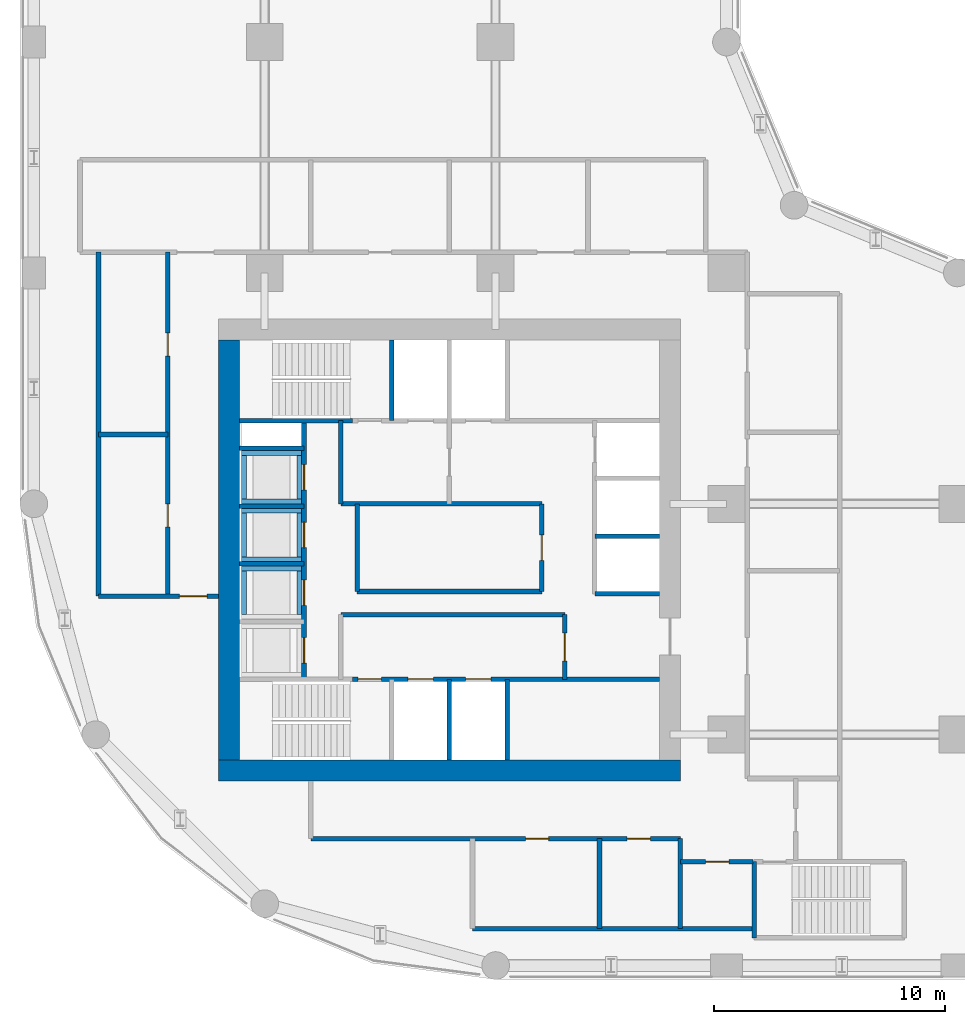
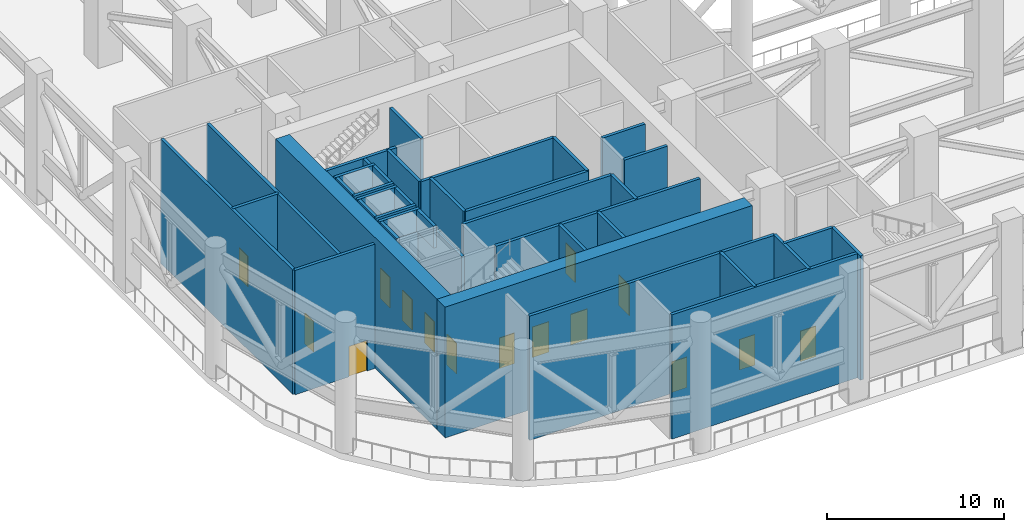
# One storey, part 8 of 14: 41 walls, 15 doors, 15 openings.
"""IFC4 building model written with IfcOpenShell, lengths in metres."""

from ifc_helpers import new_model, si_unit, direction, frame, frame_2d, origin, place, context, subcontext, project, spatial, rectangle, extrude, material, layer, layer_set, type_object, element, fill, save


model = new_model("IFC4")

# Units and contexts
model_context = context("Model", 3, precision=1e-05, world=origin(), true_north=direction((0.0, 1.0)))
body_context = subcontext(model_context, "Body", "Model", "MODEL_VIEW")
ifc_project = project(units=[si_unit("LENGTHUNIT", "METRE"), si_unit("AREAUNIT", "SQUARE_METRE"), si_unit("VOLUMEUNIT", "CUBIC_METRE"), si_unit("PLANEANGLEUNIT", "RADIAN"), si_unit("MASSUNIT", "GRAM", prefix="KILO")], contexts=[model_context])

# Site, building, storey
site_placement = place(None, origin())
site = spatial("IfcSite", under=ifc_project, at=site_placement, CompositionType="ELEMENT")
building_placement = place(site_placement, origin())
building = spatial("IfcBuilding", under=site, at=building_placement, Name="Qaws Garden Tower", CompositionType="ELEMENT")
storey_placement = place(building_placement, frame((0.0, 0.0, 117.300048828125)))
storey = spatial("IfcBuildingStorey", under=building, at=storey_placement, Name="L29", CompositionType="ELEMENT", Elevation=117.300048828125)

# Wall, openings, doors
ifc_material_1 = material(Name="Concrete C80", Category="concrete")
ifc_layer_1 = layer(ifc_material_1, 0.199951171875)
ifc_layer_set_1 = layer_set([ifc_layer_1], Name="Concrete C80")
wall_type_1 = type_object("IfcWallType", Name="Core shaft wall 200 C80", PredefinedType="SHEAR", material=ifc_layer_set_1)
wall_1_placement = place(storey_placement, frame((13.800048828125, 12.39990234375, 0.0), z_axis=(0.0, 0.0, 1.0), x_axis=(1.0, 0.0, 0.0)))
wall_1 = element("IfcWall", 1, at=wall_1_placement, inside=storey, type_object=wall_type_1, Name="Shaft wall", PredefinedType="SHEAR", context=body_context, shape_type="SweptSolid", body=[
    extrude(rectangle(XDim=13.300048828125, YDim=0.199951171875, at=frame_2d((6.64990234375, 0.0))), origin(), (0.0, 0.0, 1.0), 8.550048828125),
])
opening_1_placement = place(wall_1_placement, frame((2.39990234375, 0.0, 0.0)))
opening_1 = element("IfcOpeningElement", 2, at=opening_1_placement, cuts=wall_1, Name="Opening LD06", PredefinedType="OPENING", context=body_context, shape_type="SweptSolid", body=[
    extrude(rectangle(XDim=1.10009765625, YDim=2.10009765625, at=frame_2d((0.550048828125, 1.050048828125))), frame((0.0, 0.10986328125, 0.0), z_axis=(0.0, -1.0, 0.0), x_axis=(1.0, 0.0, 0.0)), (0.0, 0.0, 1.0), 0.219970703125),
])
opening_2_placement = place(wall_1_placement, frame((4.89990234375, 0.0, 0.0)))
opening_2 = element("IfcOpeningElement", 3, at=opening_2_placement, cuts=wall_1, Name="Opening LD07", PredefinedType="OPENING", context=body_context, shape_type="SweptSolid", body=[
    extrude(rectangle(XDim=1.10009765625, YDim=2.10009765625, at=frame_2d((0.550048828125, 1.050048828125))), frame((0.0, 0.10986328125, 0.0), z_axis=(0.0, -1.0, 0.0), x_axis=(1.0, 0.0, 0.0)), (0.0, 0.0, 1.0), 0.219970703125),
])
opening_3_placement = place(wall_1_placement, frame((0.25, 0.0, 0.0)))
opening_3 = element("IfcOpeningElement", 4, at=opening_3_placement, cuts=wall_1, Name="Opening SD10", PredefinedType="OPENING", context=body_context, shape_type="SweptSolid", body=[
    extrude(rectangle(XDim=1.0, YDim=2.10009765625, at=frame_2d((0.5, 1.050048828125))), frame((0.0, 0.10986328125, 0.0), z_axis=(0.0, -1.0, 0.0), x_axis=(1.0, 0.0, 0.0)), (0.0, 0.0, 1.0), 0.219970703125),
])
ifc_material_2 = material(Name="Steel S235", Category="steel")
door_type_1 = type_object("IfcDoorType", Name="Landing door 1100x2100", OperationType="DOUBLE_DOOR_SLIDING", PredefinedType="DOOR", material=ifc_material_2)
door_1_placement = place(opening_1_placement, origin())
door_1 = element("IfcDoor", 5, at=door_1_placement, inside=storey, type_object=door_type_1, Name="Lift FF1 landing door", OperationType="DOUBLE_DOOR_SLIDING", OverallHeight=2.10009765625, OverallWidth=1.10009765625, PredefinedType="DOOR", context=body_context, shape_type="SweptSolid", body=[
    extrude(rectangle(XDim=1.10009765625, YDim=2.10009765625, at=frame_2d((0.550048828125, 1.050048828125))), frame((0.0, 0.02490234375, 0.0), z_axis=(0.0, -1.0, 0.0), x_axis=(1.0, 0.0, 0.0)), (0.0, 0.0, 1.0), 0.050048828125),
])
fill(opening_1, door_1)
door_2_placement = place(opening_2_placement, origin())
door_2 = element("IfcDoor", 6, at=door_2_placement, inside=storey, type_object=door_type_1, Name="Lift FF2 landing door", OperationType="DOUBLE_DOOR_SLIDING", OverallHeight=2.10009765625, OverallWidth=1.10009765625, PredefinedType="DOOR", context=body_context, shape_type="SweptSolid", body=[
    extrude(rectangle(XDim=1.10009765625, YDim=2.10009765625, at=frame_2d((0.550048828125, 1.050048828125))), frame((0.0, 0.02490234375, 0.0), z_axis=(0.0, -1.0, 0.0), x_axis=(1.0, 0.0, 0.0)), (0.0, 0.0, 1.0), 0.050048828125),
])
fill(opening_2, door_2)
ifc_material_3 = material(Name="Steel S235", Category="steel")
door_type_2 = type_object("IfcDoorType", Name="Stair door 1000x2100", OperationType="SINGLE_SWING_RIGHT", PredefinedType="DOOR", material=ifc_material_3)
door_3_placement = place(opening_3_placement, frame((1.0, 0.0, 0.0), z_axis=(0.0, 0.0, 1.0), x_axis=(-1.0, 0.0, 0.0)))
door_3 = element("IfcDoor", 7, at=door_3_placement, inside=storey, type_object=door_type_2, Name="Stair 1 door", OperationType="SINGLE_SWING_LEFT", OverallHeight=2.10009765625, OverallWidth=1.0, PredefinedType="DOOR", context=body_context, shape_type="SweptSolid", body=[
    extrude(rectangle(XDim=1.0, YDim=2.10009765625, at=frame_2d((0.5, 1.050048828125))), frame((0.0, 0.02490234375, 0.0), z_axis=(0.0, -1.0, 0.0), x_axis=(1.0, 0.0, 0.0)), (0.0, 0.0, 1.0), 0.050048828125),
])
fill(opening_3, door_3)

# Walls
wall_2_placement = place(storey_placement, frame((13.300048828125, 15.199951171875, 0.0), z_axis=(0.0, 0.0, 1.0), x_axis=(1.0, 0.0, 0.0)))
element("IfcWall", 8, at=wall_2_placement, inside=storey, type_object=wall_type_1, Name="Shaft wall", PredefinedType="SHEAR", context=body_context, shape_type="SweptSolid", body=[
    extrude(rectangle(XDim=9.699951171875, YDim=0.199951171875, at=frame_2d((4.85009765625, 0.0))), origin(), (0.0, 0.0, 1.0), 8.550048828125),
])
wall_3_placement = place(storey_placement, frame((24.300048828125, 16.10009765625, 0.0), z_axis=(0.0, 0.0, 1.0), x_axis=(1.0, 0.0, 0.0)))
element("IfcWall", 9, at=wall_3_placement, inside=storey, type_object=wall_type_1, Name="Shaft wall", PredefinedType="SHEAR", context=body_context, shape_type="SweptSolid", body=[
    extrude(rectangle(XDim=2.800048828125, YDim=0.199951171875, at=frame_2d((1.39990234375, 0.0))), origin(), (0.0, 0.0, 1.0), 8.550048828125),
])
wall_4_placement = place(storey_placement, frame((14.0, 16.199951171875, 0.0), z_axis=(0.0, 0.0, 1.0), x_axis=(1.0, 0.0, 0.0)))
element("IfcWall", 10, at=wall_4_placement, inside=storey, type_object=wall_type_1, Name="Shaft wall", PredefinedType="SHEAR", context=body_context, shape_type="SweptSolid", body=[
    extrude(rectangle(XDim=8.0, YDim=0.199951171875, at=frame_2d((4.0, 0.0))), origin(), (0.0, 0.0, 1.0), 8.550048828125),
])
for number, where, z_axis, x_axis, name in (
    (11, (8.89990234375, 17.39990234375, 0.0), (0.0, 0.0, 1.0), (1.0, 0.0, 0.0), "Shaft wall"),
    (12, (24.300048828125, 18.60009765625, 0.0), (0.0, 0.0, 1.0), (1.0, 0.0, 0.0), "Shaft wall"),
    (13, (8.89990234375, 19.89990234375, 0.0), (0.0, 0.0, 1.0), (1.0, 0.0, 0.0), "Shaft wall"),
):
    element("IfcWall", number, at=place(storey_placement, frame(where, z_axis=z_axis, x_axis=x_axis)), inside=storey, type_object=wall_type_1, Name=name, PredefinedType="SHEAR", context=body_context, shape_type="SweptSolid", body=[
        extrude(rectangle(XDim=2.800048828125, YDim=0.199951171875, at=frame_2d((1.39990234375, 0.0))), origin(), (0.0, 0.0, 1.0), 8.550048828125),
    ])
wall_5_placement = place(storey_placement, frame((13.300048828125, 20.0, 0.0), z_axis=(0.0, 0.0, 1.0), x_axis=(1.0, 0.0, 0.0)))
element("IfcWall", 14, at=wall_5_placement, inside=storey, type_object=wall_type_1, Name="Shaft wall", PredefinedType="SHEAR", context=body_context, shape_type="SweptSolid", body=[
    extrude(rectangle(XDim=8.699951171875, YDim=0.199951171875, at=frame_2d((4.35009765625, 0.0))), origin(), (0.0, 0.0, 1.0), 8.550048828125),
])
wall_6_placement = place(storey_placement, frame((8.89990234375, 22.39990234375, 0.0), z_axis=(0.0, 0.0, 1.0), x_axis=(1.0, 0.0, 0.0)))
element("IfcWall", 15, at=wall_6_placement, inside=storey, type_object=wall_type_1, Name="Shaft wall", PredefinedType="SHEAR", context=body_context, shape_type="SweptSolid", body=[
    extrude(rectangle(XDim=2.800048828125, YDim=0.199951171875, at=frame_2d((1.39990234375, 0.0))), origin(), (0.0, 0.0, 1.0), 8.550048828125),
])
wall_7_placement = place(storey_placement, frame((8.89990234375, 23.60009765625, 0.0), z_axis=(0.0, 0.0, 1.0), x_axis=(1.0, 0.0, 0.0)))
element("IfcWall", 16, at=wall_7_placement, inside=storey, type_object=wall_type_1, Name="Shaft wall", PredefinedType="SHEAR", context=body_context, shape_type="SweptSolid", body=[
    extrude(rectangle(XDim=4.900146484375, YDim=0.199951171875, at=frame_2d((2.4501953125, 0.0))), origin(), (0.0, 0.0, 1.0), 8.550048828125),
])

# Wall, openings, doors
wall_8_placement = place(storey_placement, frame((11.699951171875, 12.39990234375, 0.0), z_axis=(0.0, 0.0, 1.0), x_axis=(0.0, 1.0, 0.0)))
wall_8 = element("IfcWall", 17, at=wall_8_placement, inside=storey, type_object=wall_type_1, Name="Shaft wall", PredefinedType="SHEAR", context=body_context, shape_type="SweptSolid", body=[
    extrude(rectangle(XDim=11.2001953125, YDim=0.199951171875, at=frame_2d((5.60009765625, 0.0))), origin(), (0.0, 0.0, 1.0), 8.550048828125),
])
opening_4_placement = place(wall_8_placement, frame((0.699951171875, 0.0, 0.0)))
opening_4 = element("IfcOpeningElement", 18, at=opening_4_placement, cuts=wall_8, Name="Opening LD01", PredefinedType="OPENING", context=body_context, shape_type="SweptSolid", body=[
    extrude(rectangle(XDim=1.10009765625, YDim=2.10009765625, at=frame_2d((0.550048828125, 1.050048828125))), frame((0.0, 0.10986328125, 0.0), z_axis=(0.0, -1.0, 0.0), x_axis=(1.0, 0.0, 0.0)), (0.0, 0.0, 1.0), 0.219970703125),
])
opening_5_placement = place(wall_8_placement, frame((3.199951171875, 0.0, 0.0)))
opening_5 = element("IfcOpeningElement", 19, at=opening_5_placement, cuts=wall_8, Name="Opening LD02", PredefinedType="OPENING", context=body_context, shape_type="SweptSolid", body=[
    extrude(rectangle(XDim=1.10009765625, YDim=2.10009765625, at=frame_2d((0.550048828125, 1.050048828125))), frame((0.0, 0.10986328125, 0.0), z_axis=(0.0, -1.0, 0.0), x_axis=(1.0, 0.0, 0.0)), (0.0, 0.0, 1.0), 0.219970703125),
])
opening_6_placement = place(wall_8_placement, frame((5.699951171875, 0.0, 0.0)))
opening_6 = element("IfcOpeningElement", 20, at=opening_6_placement, cuts=wall_8, Name="Opening LD03", PredefinedType="OPENING", context=body_context, shape_type="SweptSolid", body=[
    extrude(rectangle(XDim=1.10009765625, YDim=2.10009765625, at=frame_2d((0.550048828125, 1.050048828125))), frame((0.0, 0.10986328125, 0.0), z_axis=(0.0, -1.0, 0.0), x_axis=(1.0, 0.0, 0.0)), (0.0, 0.0, 1.0), 0.219970703125),
])
opening_7_placement = place(wall_8_placement, frame((8.199951171875, 0.0, 0.0)))
opening_7 = element("IfcOpeningElement", 21, at=opening_7_placement, cuts=wall_8, Name="Opening LD04", PredefinedType="OPENING", context=body_context, shape_type="SweptSolid", body=[
    extrude(rectangle(XDim=1.10009765625, YDim=2.10009765625, at=frame_2d((0.550048828125, 1.050048828125))), frame((0.0, 0.10986328125, 0.0), z_axis=(0.0, -1.0, 0.0), x_axis=(1.0, 0.0, 0.0)), (0.0, 0.0, 1.0), 0.219970703125),
])
door_4_placement = place(opening_4_placement, origin())
door_4 = element("IfcDoor", 22, at=door_4_placement, inside=storey, type_object=door_type_1, Name="Lift W1 landing door", OperationType="DOUBLE_DOOR_SLIDING", OverallHeight=2.10009765625, OverallWidth=1.10009765625, PredefinedType="DOOR", context=body_context, shape_type="SweptSolid", body=[
    extrude(rectangle(XDim=1.10009765625, YDim=2.10009765625, at=frame_2d((0.550048828125, 1.050048828125))), frame((0.0, 0.02490234375, 0.0), z_axis=(0.0, -1.0, 0.0), x_axis=(1.0, 0.0, 0.0)), (0.0, 0.0, 1.0), 0.050048828125),
])
fill(opening_4, door_4)
door_5_placement = place(opening_5_placement, origin())
door_5 = element("IfcDoor", 23, at=door_5_placement, inside=storey, type_object=door_type_1, Name="Lift W2 landing door", OperationType="DOUBLE_DOOR_SLIDING", OverallHeight=2.10009765625, OverallWidth=1.10009765625, PredefinedType="DOOR", context=body_context, shape_type="SweptSolid", body=[
    extrude(rectangle(XDim=1.10009765625, YDim=2.10009765625, at=frame_2d((0.550048828125, 1.050048828125))), frame((0.0, 0.02490234375, 0.0), z_axis=(0.0, -1.0, 0.0), x_axis=(1.0, 0.0, 0.0)), (0.0, 0.0, 1.0), 0.050048828125),
])
fill(opening_5, door_5)
door_6_placement = place(opening_6_placement, origin())
door_6 = element("IfcDoor", 24, at=door_6_placement, inside=storey, type_object=door_type_1, Name="Lift W3 landing door", OperationType="DOUBLE_DOOR_SLIDING", OverallHeight=2.10009765625, OverallWidth=1.10009765625, PredefinedType="DOOR", context=body_context, shape_type="SweptSolid", body=[
    extrude(rectangle(XDim=1.10009765625, YDim=2.10009765625, at=frame_2d((0.550048828125, 1.050048828125))), frame((0.0, 0.02490234375, 0.0), z_axis=(0.0, -1.0, 0.0), x_axis=(1.0, 0.0, 0.0)), (0.0, 0.0, 1.0), 0.050048828125),
])
fill(opening_6, door_6)
door_7_placement = place(opening_7_placement, origin())
door_7 = element("IfcDoor", 25, at=door_7_placement, inside=storey, type_object=door_type_1, Name="Lift W4 landing door", OperationType="DOUBLE_DOOR_SLIDING", OverallHeight=2.10009765625, OverallWidth=1.10009765625, PredefinedType="DOOR", context=body_context, shape_type="SweptSolid", body=[
    extrude(rectangle(XDim=1.10009765625, YDim=2.10009765625, at=frame_2d((0.550048828125, 1.050048828125))), frame((0.0, 0.02490234375, 0.0), z_axis=(0.0, -1.0, 0.0), x_axis=(1.0, 0.0, 0.0)), (0.0, 0.0, 1.0), 0.050048828125),
])
fill(opening_7, door_7)

# Walls
wall_9_placement = place(storey_placement, frame((13.300048828125, 20.0, 0.0), z_axis=(0.0, 0.0, 1.0), x_axis=(0.0, 1.0, 0.0)))
element("IfcWall", 26, at=wall_9_placement, inside=storey, type_object=wall_type_1, Name="Shaft wall", PredefinedType="SHEAR", context=body_context, shape_type="SweptSolid", body=[
    extrude(rectangle(XDim=3.60009765625, YDim=0.199951171875, at=frame_2d((1.800048828125, 0.0))), origin(), (0.0, 0.0, 1.0), 8.550048828125),
])
wall_10_placement = place(storey_placement, frame((14.0, 16.199951171875, 0.0), z_axis=(0.0, 0.0, 1.0), x_axis=(0.0, 1.0, 0.0)))
element("IfcWall", 27, at=wall_10_placement, inside=storey, type_object=wall_type_1, Name="Shaft wall", PredefinedType="SHEAR", context=body_context, shape_type="SweptSolid", body=[
    extrude(rectangle(XDim=3.800048828125, YDim=0.199951171875, at=frame_2d((1.89990234375, 0.0))), origin(), (0.0, 0.0, 1.0), 8.550048828125),
])
for number, where, z_axis, x_axis, name in (
    (28, (15.5, 23.60009765625, 0.0), (0.0, 0.0, 1.0), (0.0, 1.0, 0.0), "Shaft wall"),
    (29, (18.0, 8.89990234375, 0.0), (0.0, 0.0, 1.0), (0.0, 1.0, 0.0), "Shaft wall"),
    (30, (20.5, 8.89990234375, 0.0), (0.0, 0.0, 1.0), (0.0, 1.0, 0.0), "Shaft wall"),
):
    element("IfcWall", number, at=place(storey_placement, frame(where, z_axis=z_axis, x_axis=x_axis)), inside=storey, type_object=wall_type_1, Name=name, PredefinedType="SHEAR", context=body_context, shape_type="SweptSolid", body=[
        extrude(rectangle(XDim=3.5, YDim=0.199951171875, at=frame_2d((1.75, 0.0))), origin(), (0.0, 0.0, 1.0), 8.550048828125),
    ])

# Wall, opening, door
wall_11_placement = place(storey_placement, frame((22.0, 16.199951171875, 0.0), z_axis=(0.0, 0.0, 1.0), x_axis=(0.0, 1.0, 0.0)))
wall_11 = element("IfcWall", 31, at=wall_11_placement, inside=storey, type_object=wall_type_1, Name="Shaft wall", PredefinedType="SHEAR", context=body_context, shape_type="SweptSolid", body=[
    extrude(rectangle(XDim=3.800048828125, YDim=0.199951171875, at=frame_2d((1.89990234375, 0.0))), origin(), (0.0, 0.0, 1.0), 8.550048828125),
])
opening_8_placement = place(wall_11_placement, frame((1.35009765625, 0.0, 0.0)))
opening_8 = element("IfcOpeningElement", 32, at=opening_8_placement, cuts=wall_11, Name="Opening XD17", PredefinedType="OPENING", context=body_context, shape_type="SweptSolid", body=[
    extrude(rectangle(XDim=1.10009765625, YDim=2.10009765625, at=frame_2d((0.550048828125, 1.050048828125))), frame((0.0, 0.10986328125, 0.0), z_axis=(0.0, -1.0, 0.0), x_axis=(1.0, 0.0, 0.0)), (0.0, 0.0, 1.0), 0.219970703125),
])
ifc_material_4 = material(Name="Timber", Category="wood")
door_type_3 = type_object("IfcDoorType", Name="WC lobby door 1100x2100", OperationType="SINGLE_SWING_LEFT", PredefinedType="DOOR", material=ifc_material_4)
door_8_placement = place(opening_8_placement, origin())
door_8 = element("IfcDoor", 33, at=door_8_placement, inside=storey, type_object=door_type_3, Name="Plant room door", OperationType="SINGLE_SWING_RIGHT", OverallHeight=2.10009765625, OverallWidth=1.10009765625, PredefinedType="DOOR", context=body_context, shape_type="SweptSolid", body=[
    extrude(rectangle(XDim=1.10009765625, YDim=2.10009765625, at=frame_2d((0.550048828125, 1.050048828125))), frame((0.0, 0.02490234375, 0.0), z_axis=(0.0, -1.0, 0.0), x_axis=(1.0, 0.0, 0.0)), (0.0, 0.0, 1.0), 0.050048828125),
])
fill(opening_8, door_8)

wall_12_placement = place(storey_placement, frame((23.0, 12.39990234375, 0.0), z_axis=(0.0, 0.0, 1.0), x_axis=(0.0, 1.0, 0.0)))
wall_12 = element("IfcWall", 34, at=wall_12_placement, inside=storey, type_object=wall_type_1, Name="Shaft wall", PredefinedType="SHEAR", context=body_context, shape_type="SweptSolid", body=[
    extrude(rectangle(XDim=2.800048828125, YDim=0.199951171875, at=frame_2d((1.39990234375, 0.0))), origin(), (0.0, 0.0, 1.0), 8.550048828125),
])
opening_9_placement = place(wall_12_placement, frame((0.800048828125, 0.0, 0.0)))
opening_9 = element("IfcOpeningElement", 35, at=opening_9_placement, cuts=wall_12, Name="Opening FD15", PredefinedType="OPENING", context=body_context, shape_type="SweptSolid", body=[
    extrude(rectangle(XDim=1.199951171875, YDim=2.10009765625, at=frame_2d((0.60009765625, 1.050048828125))), frame((0.0, 0.10986328125, 0.0), z_axis=(0.0, -1.0, 0.0), x_axis=(1.0, 0.0, 0.0)), (0.0, 0.0, 1.0), 0.219970703125),
])
ifc_material_5 = material(Name="Steel S235", Category="steel")
door_type_4 = type_object("IfcDoorType", Name="Lobby door 1200x2100", OperationType="DOUBLE_DOOR_SINGLE_SWING", PredefinedType="DOOR", material=ifc_material_5)
door_9_placement = place(opening_9_placement, origin())
door_9 = element("IfcDoor", 36, at=door_9_placement, inside=storey, type_object=door_type_4, Name="Fire-fighting lobby door", OperationType="DOUBLE_DOOR_SINGLE_SWING", OverallHeight=2.10009765625, OverallWidth=1.199951171875, PredefinedType="DOOR", context=body_context, shape_type="SweptSolid", body=[
    extrude(rectangle(XDim=1.199951171875, YDim=2.10009765625, at=frame_2d((0.60009765625, 1.050048828125))), frame((0.0, 0.02490234375, 0.0), z_axis=(0.0, -1.0, 0.0), x_axis=(1.0, 0.0, 0.0)), (0.0, 0.0, 1.0), 0.050048828125),
])
fill(opening_9, door_9)

# Walls
wall_13_placement = place(storey_placement, frame((31.199951171875, 1.199951171875, 0.0), z_axis=(0.0, 0.0, 1.0), x_axis=(0.0, 1.0, 0.0)))
element("IfcWall", 37, at=wall_13_placement, inside=storey, type_object=wall_type_1, Name="Shaft wall", PredefinedType="SHEAR", context=body_context, shape_type="SweptSolid", body=[
    extrude(rectangle(XDim=3.300048828125, YDim=0.199951171875, at=frame_2d((1.64990234375, 0.0))), origin(), (0.0, 0.0, 1.0), 8.550048828125),
])
ifc_material_6 = material(Name="Concrete C80", Category="concrete")
ifc_layer_2 = layer(ifc_material_6, 0.89990234375)
ifc_layer_set_2 = layer_set([ifc_layer_2], Name="Concrete C80")
wall_type_2 = type_object("IfcWallType", Name="Core wall 900 C80", PredefinedType="SHEAR", material=ifc_layer_set_2)
wall_14_placement = place(storey_placement, frame((8.0, 8.449951171875, 0.0), z_axis=(0.0, 0.0, 1.0), x_axis=(1.0, 0.0, 0.0)))
element("IfcWall", 38, at=wall_14_placement, inside=storey, type_object=wall_type_2, Name="Core wall L29 south", PredefinedType="SHEAR", context=body_context, shape_type="SweptSolid", body=[
    extrude(rectangle(XDim=20.0, YDim=0.89990234375, at=frame_2d((10.0, 0.0))), origin(), (0.0, 0.0, 1.0), 9.0),
])
wall_15_placement = place(storey_placement, frame((8.449951171875, 27.10009765625, 0.0), z_axis=(0.0, 0.0, 1.0), x_axis=(0.0, -1.0, 0.0)))
element("IfcWall", 39, at=wall_15_placement, inside=storey, type_object=wall_type_2, Name="Core wall L29 west", PredefinedType="SHEAR", context=body_context, shape_type="SweptSolid", body=[
    extrude(rectangle(XDim=18.2001953125, YDim=0.89990234375, at=frame_2d((9.10009765625, 0.0))), origin(), (0.0, 0.0, 1.0), 9.0),
])
ifc_material_7 = material(Name="Concrete C60", Category="concrete")
ifc_layer_3 = layer(ifc_material_7, 0.199951171875)
ifc_layer_set_3 = layer_set([ifc_layer_3], Name="Concrete C60")
wall_type_3 = type_object("IfcWallType", Name="Lift pit wall 200", PredefinedType="SOLIDWALL", material=ifc_layer_set_3)
wall_16_placement = place(storey_placement, frame((9.0, 17.199951171875, 7.5), z_axis=(0.0, 0.0, 1.0), x_axis=(1.0, 0.0, 0.0)))
element("IfcWall", 40, at=wall_16_placement, inside=storey, type_object=wall_type_3, Name="Lift W2 pit wall", PredefinedType="SOLIDWALL", context=body_context, shape_type="SweptSolid", body=[
    extrude(rectangle(XDim=2.60009765625, YDim=0.199951171875, at=frame_2d((1.300048828125, 0.0))), origin(), (0.0, 0.0, 1.0), 1.5),
])
for number, where, z_axis, x_axis, name in (
    (41, (9.10009765625, 15.199951171875, 7.5), (0.0, 0.0, 1.0), (0.0, 1.0, 0.0), "Lift W2 pit wall"),
    (42, (11.5, 15.199951171875, 7.5), (0.0, 0.0, 1.0), (0.0, 1.0, 0.0), "Lift W2 pit wall"),
):
    element("IfcWall", number, at=place(storey_placement, frame(where, z_axis=z_axis, x_axis=x_axis)), inside=storey, type_object=wall_type_3, Name=name, PredefinedType="SOLIDWALL", context=body_context, shape_type="SweptSolid", body=[
        extrude(rectangle(XDim=1.900146484375, YDim=0.199951171875, at=frame_2d((0.9501953125, 0.0))), origin(), (0.0, 0.0, 1.0), 1.5),
    ])
for number, where, z_axis, x_axis, name in (
    (43, (9.0, 17.60009765625, 7.5), (0.0, 0.0, 1.0), (1.0, 0.0, 0.0), "Lift W3 pit wall"),
    (44, (9.0, 19.699951171875, 7.5), (0.0, 0.0, 1.0), (1.0, 0.0, 0.0), "Lift W3 pit wall"),
):
    element("IfcWall", number, at=place(storey_placement, frame(where, z_axis=z_axis, x_axis=x_axis)), inside=storey, type_object=wall_type_3, Name=name, PredefinedType="SOLIDWALL", context=body_context, shape_type="SweptSolid", body=[
        extrude(rectangle(XDim=2.60009765625, YDim=0.199951171875, at=frame_2d((1.300048828125, 0.0))), origin(), (0.0, 0.0, 1.0), 1.5),
    ])
for number, where, z_axis, x_axis, name in (
    (45, (9.10009765625, 17.699951171875, 7.5), (0.0, 0.0, 1.0), (0.0, 1.0, 0.0), "Lift W3 pit wall"),
    (46, (11.5, 17.699951171875, 7.5), (0.0, 0.0, 1.0), (0.0, 1.0, 0.0), "Lift W3 pit wall"),
):
    element("IfcWall", number, at=place(storey_placement, frame(where, z_axis=z_axis, x_axis=x_axis)), inside=storey, type_object=wall_type_3, Name=name, PredefinedType="SOLIDWALL", context=body_context, shape_type="SweptSolid", body=[
        extrude(rectangle(XDim=1.900146484375, YDim=0.199951171875, at=frame_2d((0.9501953125, 0.0))), origin(), (0.0, 0.0, 1.0), 1.5),
    ])
for number, where, z_axis, x_axis, name in (
    (47, (9.0, 20.10009765625, 7.5), (0.0, 0.0, 1.0), (1.0, 0.0, 0.0), "Lift W4 pit wall"),
    (48, (9.0, 22.199951171875, 7.5), (0.0, 0.0, 1.0), (1.0, 0.0, 0.0), "Lift W4 pit wall"),
):
    element("IfcWall", number, at=place(storey_placement, frame(where, z_axis=z_axis, x_axis=x_axis)), inside=storey, type_object=wall_type_3, Name=name, PredefinedType="SOLIDWALL", context=body_context, shape_type="SweptSolid", body=[
        extrude(rectangle(XDim=2.60009765625, YDim=0.199951171875, at=frame_2d((1.300048828125, 0.0))), origin(), (0.0, 0.0, 1.0), 1.5),
    ])
for number, where, z_axis, x_axis, name in (
    (49, (9.10009765625, 20.199951171875, 7.5), (0.0, 0.0, 1.0), (0.0, 1.0, 0.0), "Lift W4 pit wall"),
    (50, (11.5, 20.199951171875, 7.5), (0.0, 0.0, 1.0), (0.0, 1.0, 0.0), "Lift W4 pit wall"),
):
    element("IfcWall", number, at=place(storey_placement, frame(where, z_axis=z_axis, x_axis=x_axis)), inside=storey, type_object=wall_type_3, Name=name, PredefinedType="SOLIDWALL", context=body_context, shape_type="SweptSolid", body=[
        extrude(rectangle(XDim=1.900146484375, YDim=0.199951171875, at=frame_2d((0.9501953125, 0.0))), origin(), (0.0, 0.0, 1.0), 1.5),
    ])

# Wall, opening, door
ifc_material_8 = material(Name="Blockwork", Category="masonry")
ifc_layer_4 = layer(ifc_material_8, 0.199951171875)
ifc_layer_set_4 = layer_set([ifc_layer_4], Name="Blockwork")
wall_type_4 = type_object("IfcWallType", Name="Plant compartment wall 200", PredefinedType="PARTITIONING", material=ifc_layer_set_4)
wall_17_placement = place(storey_placement, frame((2.800048828125, 16.0, 0.0), z_axis=(0.0, 0.0, 1.0), x_axis=(1.0, 0.0, 0.0)))
wall_17 = element("IfcWall", 51, at=wall_17_placement, inside=storey, type_object=wall_type_4, Name="Plant zone wall", PredefinedType="PARTITIONING", context=body_context, shape_type="SweptSolid", body=[
    extrude(rectangle(XDim=5.199951171875, YDim=0.199951171875, at=frame_2d((2.60009765625, 0.0))), origin(), (0.0, 0.0, 1.0), 8.550048828125),
])
opening_10_placement = place(wall_17_placement, frame((3.5, 0.0, 0.0)))
opening_10 = element("IfcOpeningElement", 52, at=opening_10_placement, cuts=wall_17, Name="Opening PZ2914", PredefinedType="OPENING", context=body_context, shape_type="SweptSolid", body=[
    extrude(rectangle(XDim=1.199951171875, YDim=2.10009765625, at=frame_2d((0.60009765625, 1.050048828125))), frame((0.0, 0.10986328125, 0.0), z_axis=(0.0, -1.0, 0.0), x_axis=(1.0, 0.0, 0.0)), (0.0, 0.0, 1.0), 0.219970703125),
])
ifc_material_9 = material(Name="Steel S235", Category="steel")
door_type_5 = type_object("IfcDoorType", Name="Plant door 1200x2100", OperationType="DOUBLE_DOOR_SINGLE_SWING", PredefinedType="DOOR", material=ifc_material_9)
door_10_placement = place(opening_10_placement, frame((1.199951171875, 0.0, 0.0), z_axis=(0.0, 0.0, 1.0), x_axis=(-1.0, 0.0, 0.0)))
door_10 = element("IfcDoor", 53, at=door_10_placement, inside=storey, type_object=door_type_5, Name="Plant corridor door to the open floor", OperationType="DOUBLE_DOOR_SINGLE_SWING", OverallHeight=2.10009765625, OverallWidth=1.199951171875, PredefinedType="DOOR", context=body_context, shape_type="SweptSolid", body=[
    extrude(rectangle(XDim=1.199951171875, YDim=2.10009765625, at=frame_2d((0.60009765625, 1.050048828125))), frame((0.0, 0.02490234375, 0.0), z_axis=(0.0, -1.0, 0.0), x_axis=(1.0, 0.0, 0.0)), (0.0, 0.0, 1.0), 0.050048828125),
])
fill(opening_10, door_10)

# Wall
wall_18_placement = place(storey_placement, frame((2.800048828125, 23.0, 0.0), z_axis=(0.0, 0.0, 1.0), x_axis=(1.0, 0.0, 0.0)))
element("IfcWall", 54, at=wall_18_placement, inside=storey, type_object=wall_type_4, Name="Plant zone wall", PredefinedType="PARTITIONING", context=body_context, shape_type="SweptSolid", body=[
    extrude(rectangle(XDim=3.0, YDim=0.199951171875, at=frame_2d((1.5, 0.0))), origin(), (0.0, 0.0, 1.0), 8.550048828125),
])

# Wall, openings, doors
wall_19_placement = place(storey_placement, frame((12.0, 5.5, 0.0), z_axis=(0.0, 0.0, 1.0), x_axis=(1.0, 0.0, 0.0)))
wall_19 = element("IfcWall", 55, at=wall_19_placement, inside=storey, type_object=wall_type_4, Name="Plant zone wall", PredefinedType="PARTITIONING", context=body_context, shape_type="SweptSolid", body=[
    extrude(rectangle(XDim=16.0, YDim=0.199951171875, at=frame_2d((8.0, 0.0))), origin(), (0.0, 0.0, 1.0), 8.550048828125),
])
opening_11_placement = place(wall_19_placement, frame((9.300048828125, 0.0, 0.0)))
opening_11 = element("IfcOpeningElement", 56, at=opening_11_placement, cuts=wall_19, Name="Opening PZ2910", PredefinedType="OPENING", context=body_context, shape_type="SweptSolid", body=[
    extrude(rectangle(XDim=1.0, YDim=2.10009765625, at=frame_2d((0.5, 1.050048828125))), frame((0.0, 0.10986328125, 0.0), z_axis=(0.0, -1.0, 0.0), x_axis=(1.0, 0.0, 0.0)), (0.0, 0.0, 1.0), 0.219970703125),
])
opening_12_placement = place(wall_19_placement, frame((13.699951171875, 0.0, 0.0)))
opening_12 = element("IfcOpeningElement", 57, at=opening_12_placement, cuts=wall_19, Name="Opening PZ2911", PredefinedType="OPENING", context=body_context, shape_type="SweptSolid", body=[
    extrude(rectangle(XDim=1.0, YDim=2.10009765625, at=frame_2d((0.5, 1.050048828125))), frame((0.0, 0.10986328125, 0.0), z_axis=(0.0, -1.0, 0.0), x_axis=(1.0, 0.0, 0.0)), (0.0, 0.0, 1.0), 0.219970703125),
])
ifc_material_10 = material(Name="Steel S235", Category="steel")
door_type_6 = type_object("IfcDoorType", Name="Plant door 1000x2100", OperationType="SINGLE_SWING_LEFT", PredefinedType="DOOR", material=ifc_material_10)
door_11_placement = place(opening_11_placement, frame((1.0, 0.0, 0.0), z_axis=(0.0, 0.0, 1.0), x_axis=(-1.0, 0.0, 0.0)))
door_11 = element("IfcDoor", 58, at=door_11_placement, inside=storey, type_object=door_type_6, Name="Plant store door", OperationType="SINGLE_SWING_LEFT", OverallHeight=2.10009765625, OverallWidth=1.0, PredefinedType="DOOR", context=body_context, shape_type="SweptSolid", body=[
    extrude(rectangle(XDim=1.0, YDim=2.10009765625, at=frame_2d((0.5, 1.050048828125))), frame((0.0, 0.02490234375, 0.0), z_axis=(0.0, -1.0, 0.0), x_axis=(1.0, 0.0, 0.0)), (0.0, 0.0, 1.0), 0.050048828125),
])
fill(opening_11, door_11)
door_12_placement = place(opening_12_placement, frame((1.0, 0.0, 0.0), z_axis=(0.0, 0.0, 1.0), x_axis=(-1.0, 0.0, 0.0)))
door_12 = element("IfcDoor", 59, at=door_12_placement, inside=storey, type_object=door_type_6, Name="Boiler plant room door", OperationType="SINGLE_SWING_RIGHT", OverallHeight=2.10009765625, OverallWidth=1.0, PredefinedType="DOOR", context=body_context, shape_type="SweptSolid", body=[
    extrude(rectangle(XDim=1.0, YDim=2.10009765625, at=frame_2d((0.5, 1.050048828125))), frame((0.0, 0.02490234375, 0.0), z_axis=(0.0, -1.0, 0.0), x_axis=(1.0, 0.0, 0.0)), (0.0, 0.0, 1.0), 0.050048828125),
])
fill(opening_12, door_12)

# Wall
wall_20_placement = place(storey_placement, frame((19.0, 1.60009765625, 0.0), z_axis=(0.0, 0.0, 1.0), x_axis=(1.0, 0.0, 0.0)))
element("IfcWall", 60, at=wall_20_placement, inside=storey, type_object=wall_type_4, Name="Plant zone wall", PredefinedType="PARTITIONING", context=body_context, shape_type="SweptSolid", body=[
    extrude(rectangle(XDim=12.14990234375, YDim=0.199951171875, at=frame_2d((6.074951171875, 0.0))), origin(), (0.0, 0.0, 1.0), 8.550048828125),
])

# Wall, opening, door
wall_21_placement = place(storey_placement, frame((28.0, 4.5, 0.0), z_axis=(0.0, 0.0, 1.0), x_axis=(1.0, 0.0, 0.0)))
wall_21 = element("IfcWall", 61, at=wall_21_placement, inside=storey, type_object=wall_type_4, Name="Plant zone wall", PredefinedType="PARTITIONING", context=body_context, shape_type="SweptSolid", body=[
    extrude(rectangle(XDim=3.14990234375, YDim=0.199951171875, at=frame_2d((1.574951171875, 0.0))), origin(), (0.0, 0.0, 1.0), 8.550048828125),
])
opening_13_placement = place(wall_21_placement, frame((1.10009765625, 0.0, 0.0)))
opening_13 = element("IfcOpeningElement", 62, at=opening_13_placement, cuts=wall_21, Name="Opening PZ2912", PredefinedType="OPENING", context=body_context, shape_type="SweptSolid", body=[
    extrude(rectangle(XDim=1.0, YDim=2.10009765625, at=frame_2d((0.5, 1.050048828125))), frame((0.0, 0.10986328125, 0.0), z_axis=(0.0, -1.0, 0.0), x_axis=(1.0, 0.0, 0.0)), (0.0, 0.0, 1.0), 0.219970703125),
])
door_13_placement = place(opening_13_placement, frame((1.0, 0.0, 0.0), z_axis=(0.0, 0.0, 1.0), x_axis=(-1.0, 0.0, 0.0)))
door_13 = element("IfcDoor", 63, at=door_13_placement, inside=storey, type_object=door_type_6, Name="Mechanical plant room door", OperationType="SINGLE_SWING_LEFT", OverallHeight=2.10009765625, OverallWidth=1.0, PredefinedType="DOOR", context=body_context, shape_type="SweptSolid", body=[
    extrude(rectangle(XDim=1.0, YDim=2.10009765625, at=frame_2d((0.5, 1.050048828125))), frame((0.0, 0.02490234375, 0.0), z_axis=(0.0, -1.0, 0.0), x_axis=(1.0, 0.0, 0.0)), (0.0, 0.0, 1.0), 0.050048828125),
])
fill(opening_13, door_13)

# Wall
wall_22_placement = place(storey_placement, frame((2.800048828125, 16.0, 0.0), z_axis=(0.0, 0.0, 1.0), x_axis=(0.0, 1.0, 0.0)))
element("IfcWall", 64, at=wall_22_placement, inside=storey, type_object=wall_type_4, Name="Plant zone wall", PredefinedType="PARTITIONING", context=body_context, shape_type="SweptSolid", body=[
    extrude(rectangle(XDim=14.89990234375, YDim=0.199951171875, at=frame_2d((7.449951171875, 0.0))), origin(), (0.0, 0.0, 1.0), 8.550048828125),
])

# Wall, openings, doors
wall_23_placement = place(storey_placement, frame((5.800048828125, 16.0, 0.0), z_axis=(0.0, 0.0, 1.0), x_axis=(0.0, 1.0, 0.0)))
wall_23 = element("IfcWall", 65, at=wall_23_placement, inside=storey, type_object=wall_type_4, Name="Plant zone wall", PredefinedType="PARTITIONING", context=body_context, shape_type="SweptSolid", body=[
    extrude(rectangle(XDim=14.89990234375, YDim=0.199951171875, at=frame_2d((7.449951171875, 0.0))), origin(), (0.0, 0.0, 1.0), 8.550048828125),
])
opening_14_placement = place(wall_23_placement, frame((3.0, 0.0, 0.0)))
opening_14 = element("IfcOpeningElement", 66, at=opening_14_placement, cuts=wall_23, Name="Opening PZ2908", PredefinedType="OPENING", context=body_context, shape_type="SweptSolid", body=[
    extrude(rectangle(XDim=1.0, YDim=2.10009765625, at=frame_2d((0.5, 1.050048828125))), frame((0.0, 0.10986328125, 0.0), z_axis=(0.0, -1.0, 0.0), x_axis=(1.0, 0.0, 0.0)), (0.0, 0.0, 1.0), 0.219970703125),
])
opening_15_placement = place(wall_23_placement, frame((10.39990234375, 0.0, 0.0)))
opening_15 = element("IfcOpeningElement", 67, at=opening_15_placement, cuts=wall_23, Name="Opening PZ2909", PredefinedType="OPENING", context=body_context, shape_type="SweptSolid", body=[
    extrude(rectangle(XDim=1.0, YDim=2.10009765625, at=frame_2d((0.5, 1.050048828125))), frame((0.0, 0.10986328125, 0.0), z_axis=(0.0, -1.0, 0.0), x_axis=(1.0, 0.0, 0.0)), (0.0, 0.0, 1.0), 0.219970703125),
])
door_14_placement = place(opening_14_placement, origin())
door_14 = element("IfcDoor", 68, at=door_14_placement, inside=storey, type_object=door_type_6, Name="Air handling plant room door", OperationType="SINGLE_SWING_RIGHT", OverallHeight=2.10009765625, OverallWidth=1.0, PredefinedType="DOOR", context=body_context, shape_type="SweptSolid", body=[
    extrude(rectangle(XDim=1.0, YDim=2.10009765625, at=frame_2d((0.5, 1.050048828125))), frame((0.0, 0.02490234375, 0.0), z_axis=(0.0, -1.0, 0.0), x_axis=(1.0, 0.0, 0.0)), (0.0, 0.0, 1.0), 0.050048828125),
])
fill(opening_14, door_14)
door_15_placement = place(opening_15_placement, origin())
door_15 = element("IfcDoor", 69, at=door_15_placement, inside=storey, type_object=door_type_6, Name="Plant store door", OperationType="SINGLE_SWING_RIGHT", OverallHeight=2.10009765625, OverallWidth=1.0, PredefinedType="DOOR", context=body_context, shape_type="SweptSolid", body=[
    extrude(rectangle(XDim=1.0, YDim=2.10009765625, at=frame_2d((0.5, 1.050048828125))), frame((0.0, 0.02490234375, 0.0), z_axis=(0.0, -1.0, 0.0), x_axis=(1.0, 0.0, 0.0)), (0.0, 0.0, 1.0), 0.050048828125),
])
fill(opening_15, door_15)

# Walls
for number, where, z_axis, x_axis, name in (
    (70, (24.5, 1.60009765625, 0.0), (0.0, 0.0, 1.0), (0.0, 1.0, 0.0), "Plant zone wall"),
    (71, (28.0, 1.60009765625, 0.0), (0.0, 0.0, 1.0), (0.0, 1.0, 0.0), "Plant zone wall"),
):
    element("IfcWall", number, at=place(storey_placement, frame(where, z_axis=z_axis, x_axis=x_axis)), inside=storey, type_object=wall_type_4, Name=name, PredefinedType="PARTITIONING", context=body_context, shape_type="SweptSolid", body=[
        extrude(rectangle(XDim=3.89990234375, YDim=0.199951171875, at=frame_2d((1.949951171875, 0.0))), origin(), (0.0, 0.0, 1.0), 8.550048828125),
    ])

save(model, "model.ifc")
